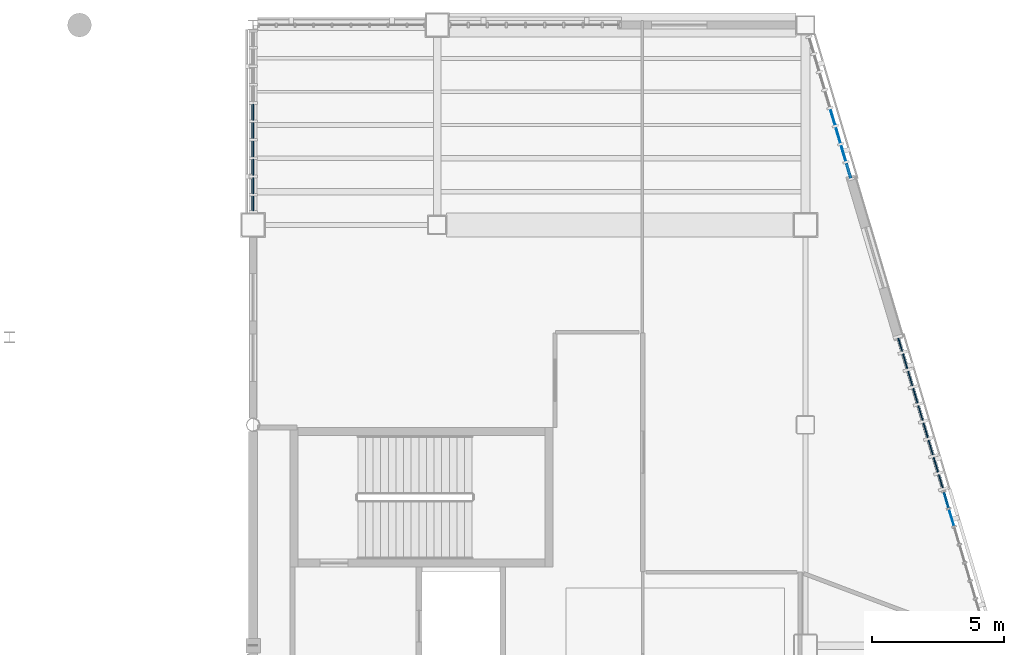
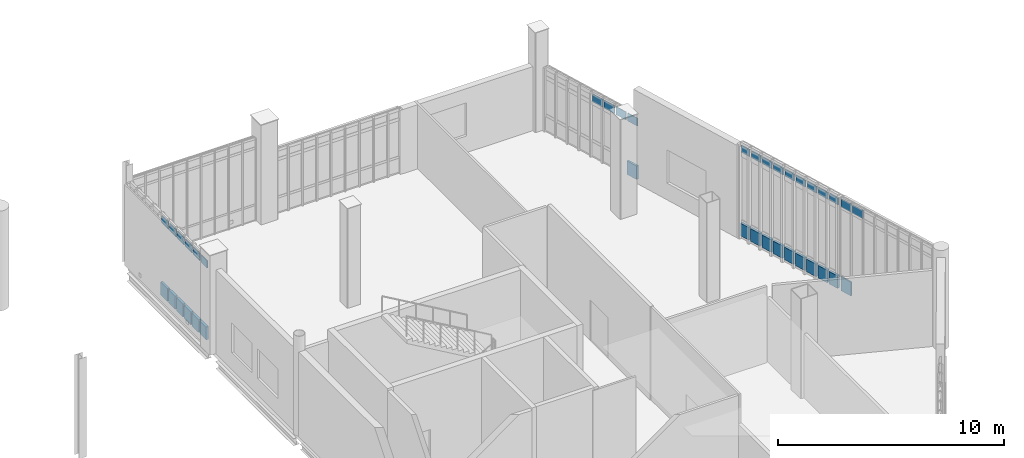
# One storey, part 101 of 127: 38 plates, 4 elements without a shape of their own.
"""IFC4 building model written with IfcOpenShell, lengths in metres."""

from ifc_helpers import new_model, si_unit, direction, frame, origin, origin_2d, place, context, subcontext, project, spatial, rectangle, extrude, material, layer, layer_set, type_object, element, aggregate, save


model = new_model("IFC4")

# Units and contexts
model_context = context("Model", 3, precision=1e-05, world=origin(), true_north=direction((0.0, 1.0)))
body_context = subcontext(model_context, "Body", "Model", "MODEL_VIEW")
ifc_project = project(units=[si_unit("LENGTHUNIT", "METRE"), si_unit("AREAUNIT", "SQUARE_METRE"), si_unit("VOLUMEUNIT", "CUBIC_METRE"), si_unit("PLANEANGLEUNIT", "RADIAN"), si_unit("MASSUNIT", "GRAM", prefix="KILO")], contexts=[model_context])

# Site, building, storey
site_placement = place(None, origin())
site = spatial("IfcSite", under=ifc_project, at=site_placement, CompositionType="ELEMENT")
building_placement = place(site_placement, origin())
building = spatial("IfcBuilding", under=site, at=building_placement, Name="Larkvane Passage Sports Hall", CompositionType="ELEMENT")
storey_placement = place(building_placement, frame((0.0, 0.0, 5.39990234375)))
storey = spatial("IfcBuildingStorey", under=building, at=storey_placement, Name="L01", CompositionType="ELEMENT", Elevation=5.39990234375)

# Curtain wall, plate
ifc_material_1 = material(Name="Thermally broken aluminium and low-E glazing", Category="aluminium")
curtain_wall_type_1 = type_object("IfcCurtainWallType", Name="CW-STICK-FOYER", PredefinedType="USERDEFINED", material=ifc_material_1)
curtain_wall_1_placement = place(storey_placement, origin())
curtain_wall_1 = element("IfcCurtainWall", 1, at=curtain_wall_1_placement, inside=storey, type_object=curtain_wall_type_1, Name="Curtain wall CW5-L01-054", ObjectType="STICK CURTAIN WALL", PredefinedType="USERDEFINED")
ifc_material_2 = material(Name="Fire-stopped shadow-box spandrel panel")
ifc_layer_1 = layer(ifc_material_2, 0.10498046875)
ifc_layer_set_1 = layer_set([ifc_layer_1], Name="Fire-stopped shadow-box spandrel panel")
plate_type_1 = type_object("IfcPlateType", Name="CWP-SPD-105", PredefinedType="CURTAIN_PANEL", material=ifc_layer_set_1)
plate_1_placement = place(storey_placement, frame((147.24267578125, 93.662109375, 0.080078125), z_axis=(0.0, 0.0, 1.0), x_axis=(0.28436317806, -0.958716633299, 0.0)))
plate_1 = element("IfcPlate", 2, at=plate_1_placement, type_object=plate_type_1, Name="CW-03 panel 8.1", PredefinedType="CURTAIN_PANEL", context=body_context, shape_type="SweptSolid", body=[
    extrude(rectangle(XDim=0.595458984375, YDim=0.10498046875, at=origin_2d()), origin(), (0.0, 0.0, 1.0), 0.72998046875),
])

# Curtain wall, plates
curtain_wall_type_2 = type_object("IfcCurtainWallType", Name="CW-CLINIC", PredefinedType="USERDEFINED", material=ifc_material_1)
curtain_wall_2_placement = place(storey_placement, origin())
curtain_wall_2 = element("IfcCurtainWall", 3, at=curtain_wall_2_placement, inside=storey, type_object=curtain_wall_type_2, Name="Curtain wall CW5-L01-051", ObjectType="UNITISED CURTAIN WALL", PredefinedType="USERDEFINED")
ifc_material_3 = material(Name="Deep insulated facade spandrel panel")
ifc_layer_2 = layer(ifc_material_3, 0.125)
ifc_layer_set_2 = layer_set([ifc_layer_2], Name="Deep insulated facade spandrel panel")
plate_type_2 = type_object("IfcPlateType", Name="CWP-SPD-125", PredefinedType="CURTAIN_PANEL", material=ifc_layer_set_2)
plate_2_placement = place(storey_placement, frame((124.60009765625, 92.420166015625, 0.10009765625), z_axis=(0.0, 0.0, 1.0), x_axis=(0.0, 1.0, 0.0)))
plate_2 = element("IfcPlate", 4, at=plate_2_placement, type_object=plate_type_2, Name="CW-05 panel 1.1", PredefinedType="CURTAIN_PANEL", context=body_context, shape_type="SweptSolid", body=[
    extrude(rectangle(XDim=0.54833984375, YDim=0.125, at=origin_2d()), origin(), (0.0, 0.0, 1.0), 0.699951171875),
])
plate_3_placement = place(storey_placement, frame((124.60009765625, 93.093505859375, 0.10009765625), z_axis=(0.0, 0.0, 1.0), x_axis=(0.0, 1.0, 0.0)))
plate_3 = element("IfcPlate", 5, at=plate_3_placement, type_object=plate_type_2, Name="CW-05 panel 2.1", PredefinedType="CURTAIN_PANEL", context=body_context, shape_type="SweptSolid", body=[
    extrude(rectangle(XDim=0.598388671875, YDim=0.125, at=origin_2d()), origin(), (0.0, 0.0, 1.0), 0.699951171875),
])
plate_4_placement = place(storey_placement, frame((124.60009765625, 93.791748046875, 0.10009765625), z_axis=(0.0, 0.0, 1.0), x_axis=(0.0, 1.0, 0.0)))
plate_4 = element("IfcPlate", 6, at=plate_4_placement, type_object=plate_type_2, Name="CW-05 panel 3.1", PredefinedType="CURTAIN_PANEL", context=body_context, shape_type="SweptSolid", body=[
    extrude(rectangle(XDim=0.598388671875, YDim=0.125, at=origin_2d()), origin(), (0.0, 0.0, 1.0), 0.699951171875),
])
plate_5_placement = place(storey_placement, frame((124.60009765625, 94.489990234375, 0.10009765625), z_axis=(0.0, 0.0, 1.0), x_axis=(0.0, 1.0, 0.0)))
plate_5 = element("IfcPlate", 7, at=plate_5_placement, type_object=plate_type_2, Name="CW-05 panel 4.1", PredefinedType="CURTAIN_PANEL", context=body_context, shape_type="SweptSolid", body=[
    extrude(rectangle(XDim=0.598388671875, YDim=0.125, at=origin_2d()), origin(), (0.0, 0.0, 1.0), 0.699951171875),
])
plate_6_placement = place(storey_placement, frame((124.60009765625, 95.188232421875, 0.10009765625), z_axis=(0.0, 0.0, 1.0), x_axis=(0.0, 1.0, 0.0)))
plate_6 = element("IfcPlate", 8, at=plate_6_placement, type_object=plate_type_2, Name="CW-05 panel 5.1", PredefinedType="CURTAIN_PANEL", context=body_context, shape_type="SweptSolid", body=[
    extrude(rectangle(XDim=0.598388671875, YDim=0.125, at=origin_2d()), origin(), (0.0, 0.0, 1.0), 0.699951171875),
])
plate_7_placement = place(storey_placement, frame((124.60009765625, 95.88671875, 0.10009765625), z_axis=(0.0, 0.0, 1.0), x_axis=(0.0, 1.0, 0.0)))
plate_7 = element("IfcPlate", 9, at=plate_7_placement, type_object=plate_type_2, Name="CW-05 panel 6.1", PredefinedType="CURTAIN_PANEL", context=body_context, shape_type="SweptSolid", body=[
    extrude(rectangle(XDim=0.598388671875, YDim=0.125, at=origin_2d()), origin(), (0.0, 0.0, 1.0), 0.699951171875),
])

curtain_wall_3_placement = place(storey_placement, origin())
curtain_wall_3 = element("IfcCurtainWall", 10, at=curtain_wall_3_placement, inside=storey, type_object=curtain_wall_type_2, Name="Curtain wall CW5-L01-055", ObjectType="UNITISED CURTAIN WALL", PredefinedType="USERDEFINED")
plate_8_placement = place(storey_placement, frame((149.205078125, 87.0458984375, 0.110107421875), z_axis=(0.0, 0.0, 1.0), x_axis=(0.284364947432, -0.958716108487, 0.0)))
plate_8 = element("IfcPlate", 11, at=plate_8_placement, type_object=plate_type_2, Name="CW-05 panel 1.1", PredefinedType="CURTAIN_PANEL", context=body_context, shape_type="SweptSolid", body=[
    extrude(rectangle(XDim=0.518798828125, YDim=0.125, at=origin_2d()), origin(), (0.0, 0.0, 1.0), 0.68505859375),
])
plate_9_placement = place(storey_placement, frame((149.3916015625, 86.416748046875, 0.110107421875), z_axis=(0.0, 0.0, 1.0), x_axis=(0.284364947432, -0.958716108487, 0.0)))
plate_9 = element("IfcPlate", 12, at=plate_9_placement, type_object=plate_type_2, Name="CW-05 panel 2.1", PredefinedType="CURTAIN_PANEL", context=body_context, shape_type="SweptSolid", body=[
    extrude(rectangle(XDim=0.57373046875, YDim=0.125, at=origin_2d()), origin(), (0.0, 0.0, 1.0), 0.68505859375),
])
plate_10_placement = place(storey_placement, frame((149.586181640625, 85.76123046875, 0.110107421875), z_axis=(0.0, 0.0, 1.0), x_axis=(0.284364947432, -0.958716108487, 0.0)))
plate_10 = element("IfcPlate", 13, at=plate_10_placement, type_object=plate_type_2, Name="CW-05 panel 3.1", PredefinedType="CURTAIN_PANEL", context=body_context, shape_type="SweptSolid", body=[
    extrude(rectangle(XDim=0.57373046875, YDim=0.125, at=origin_2d()), origin(), (0.0, 0.0, 1.0), 0.68505859375),
])
plate_11_placement = place(storey_placement, frame((149.780517578125, 85.10546875, 0.110107421875), z_axis=(0.0, 0.0, 1.0), x_axis=(0.284364947432, -0.958716108487, 0.0)))
plate_11 = element("IfcPlate", 14, at=plate_11_placement, type_object=plate_type_2, Name="CW-05 panel 4.1", PredefinedType="CURTAIN_PANEL", context=body_context, shape_type="SweptSolid", body=[
    extrude(rectangle(XDim=0.57373046875, YDim=0.125, at=origin_2d()), origin(), (0.0, 0.0, 1.0), 0.68505859375),
])
plate_12_placement = place(storey_placement, frame((149.97509765625, 84.449951171875, 0.110107421875), z_axis=(0.0, 0.0, 1.0), x_axis=(0.284364947432, -0.958716108487, 0.0)))
plate_12 = element("IfcPlate", 15, at=plate_12_placement, type_object=plate_type_2, Name="CW-05 panel 5.1", PredefinedType="CURTAIN_PANEL", context=body_context, shape_type="SweptSolid", body=[
    extrude(rectangle(XDim=0.57373046875, YDim=0.125, at=origin_2d()), origin(), (0.0, 0.0, 1.0), 0.68505859375),
])
plate_13_placement = place(storey_placement, frame((150.16943359375, 83.79443359375, 0.110107421875), z_axis=(0.0, 0.0, 1.0), x_axis=(0.284364947432, -0.958716108487, 0.0)))
plate_13 = element("IfcPlate", 16, at=plate_13_placement, type_object=plate_type_2, Name="CW-05 panel 6.1", PredefinedType="CURTAIN_PANEL", context=body_context, shape_type="SweptSolid", body=[
    extrude(rectangle(XDim=0.57373046875, YDim=0.125, at=origin_2d()), origin(), (0.0, 0.0, 1.0), 0.68505859375),
])
plate_14_placement = place(storey_placement, frame((150.36376953125, 83.138916015625, 0.110107421875), z_axis=(0.0, 0.0, 1.0), x_axis=(0.284364947432, -0.958716108487, 0.0)))
plate_14 = element("IfcPlate", 17, at=plate_14_placement, type_object=plate_type_2, Name="CW-05 panel 7.1", PredefinedType="CURTAIN_PANEL", context=body_context, shape_type="SweptSolid", body=[
    extrude(rectangle(XDim=0.57373046875, YDim=0.125, at=origin_2d()), origin(), (0.0, 0.0, 1.0), 0.68505859375),
])
plate_15_placement = place(storey_placement, frame((150.558349609375, 82.4833984375, 0.110107421875), z_axis=(0.0, 0.0, 1.0), x_axis=(0.284364947432, -0.958716108487, 0.0)))
plate_15 = element("IfcPlate", 18, at=plate_15_placement, type_object=plate_type_2, Name="CW-05 panel 8.1", PredefinedType="CURTAIN_PANEL", context=body_context, shape_type="SweptSolid", body=[
    extrude(rectangle(XDim=0.57373046875, YDim=0.125, at=origin_2d()), origin(), (0.0, 0.0, 1.0), 0.68505859375),
])
plate_16_placement = place(storey_placement, frame((150.744873046875, 81.854248046875, 0.110107421875), z_axis=(0.0, 0.0, 1.0), x_axis=(0.284364947432, -0.958716108487, 0.0)))
plate_16 = element("IfcPlate", 19, at=plate_16_placement, type_object=plate_type_2, Name="CW-05 panel 9.1", PredefinedType="CURTAIN_PANEL", context=body_context, shape_type="SweptSolid", body=[
    extrude(rectangle(XDim=0.518798828125, YDim=0.125, at=origin_2d()), origin(), (0.0, 0.0, 1.0), 0.68505859375),
])

curtain_wall_type_3 = type_object("IfcCurtainWallType", Name="CW-UNIT-COURT", PredefinedType="USERDEFINED", material=ifc_material_1)
curtain_wall_4_placement = place(storey_placement, origin())
curtain_wall_4 = element("IfcCurtainWall", 20, at=curtain_wall_4_placement, inside=storey, type_object=curtain_wall_type_3, Name="Curtain wall CW5-L01-056", ObjectType="UNITISED CURTAIN WALL", PredefinedType="USERDEFINED")
ifc_material_4 = material(Name="Insulated aluminium spandrel panel", Category="aluminium")
ifc_layer_3 = layer(ifc_material_4, 0.06494140625)
ifc_layer_set_3 = layer_set([ifc_layer_3], Name="Insulated aluminium spandrel panel")
plate_type_3 = type_object("IfcPlateType", Name="CWP-SPD-65", PredefinedType="CURTAIN_PANEL", material=ifc_layer_set_3)
plate_17_placement = place(storey_placement, frame((150.956298828125, 81.1416015625, 0.065185546875), z_axis=(0.0, 0.0, 1.0), x_axis=(0.28436317806, -0.958716633299, 0.0)))
plate_17 = element("IfcPlate", 21, at=plate_17_placement, type_object=plate_type_3, Name="CW-01 panel 1.1", PredefinedType="CURTAIN_PANEL", context=body_context, shape_type="SweptSolid", body=[
    extrude(rectangle(XDim=0.617919921875, YDim=0.06494140625, at=origin_2d()), origin(), (0.0, 0.0, 1.0), 0.75244140625),
])
ifc_material_5 = material(Name="Solar-control low-E double glazing", Category="glass")
ifc_layer_4 = layer(ifc_material_5, 0.028076171875)
ifc_layer_set_4 = layer_set([ifc_layer_4], Name="Solar-control low-E double glazing")
plate_type_4 = type_object("IfcPlateType", Name="CWP-VIS-28", PredefinedType="CURTAIN_PANEL", material=ifc_layer_set_4)
plate_18_placement = place(storey_placement, frame((150.956298828125, 81.1416015625, 4.58251953125), z_axis=(0.0, 0.0, 1.0), x_axis=(0.28436317806, -0.958716633299, 0.0)))
plate_18 = element("IfcPlate", 22, at=plate_18_placement, type_object=plate_type_4, Name="CW-01 panel 1.3", PredefinedType="CURTAIN_PANEL", context=body_context, shape_type="SweptSolid", body=[
    extrude(rectangle(XDim=0.617919921875, YDim=0.028076171875, at=origin_2d()), origin(), (0.0, 0.0, 1.0), 0.452392578125),
])
plate_19_placement = place(storey_placement, frame((151.155029296875, 80.47119140625, 4.58251953125), z_axis=(0.0, 0.0, 1.0), x_axis=(0.28436317806, -0.958716633299, 0.0)))
plate_19 = element("IfcPlate", 23, at=plate_19_placement, type_object=plate_type_4, Name="CW-01 panel 2.3", PredefinedType="CURTAIN_PANEL", context=body_context, shape_type="SweptSolid", body=[
    extrude(rectangle(XDim=0.650390625, YDim=0.028076171875, at=origin_2d()), origin(), (0.0, 0.0, 1.0), 0.452392578125),
])
aggregate(curtain_wall_4, [plate_17, plate_18, plate_19])

# Plate
ifc_material_6 = material(Name="High-impact court low-E glazing", Category="glass")
ifc_layer_5 = layer(ifc_material_6, 0.035888671875)
ifc_layer_set_5 = layer_set([ifc_layer_5], Name="High-impact court low-E glazing")
plate_type_5 = type_object("IfcPlateType", Name="CWP-VIS-36", PredefinedType="CURTAIN_PANEL", material=ifc_layer_set_5)
plate_20_placement = place(storey_placement, frame((146.637939453125, 95.700439453125, 2.9580078125), z_axis=(0.0, 0.0, 1.0), x_axis=(0.28436317806, -0.958716633299, 0.0)))
plate_20 = element("IfcPlate", 24, at=plate_20_placement, type_object=plate_type_5, Name="CW-03 panel 5.3", PredefinedType="CURTAIN_PANEL", context=body_context, shape_type="SweptSolid", body=[
    extrude(rectangle(XDim=0.63525390625, YDim=0.035888671875, at=origin_2d()), origin(), (0.0, 0.0, 1.0), 0.429931640625),
])

plate_21_placement = place(storey_placement, frame((146.841552734375, 95.0146484375, 2.9580078125), z_axis=(0.0, 0.0, 1.0), x_axis=(0.28436317806, -0.958716633299, 0.0)))
plate_21 = element("IfcPlate", 25, at=plate_21_placement, type_object=plate_type_5, Name="CW-03 panel 6.3", PredefinedType="CURTAIN_PANEL", context=body_context, shape_type="SweptSolid", body=[
    extrude(rectangle(XDim=0.63525390625, YDim=0.035888671875, at=origin_2d()), origin(), (0.0, 0.0, 1.0), 0.429931640625),
])

plate_22_placement = place(storey_placement, frame((147.044921875, 94.328857421875, 2.9580078125), z_axis=(0.0, 0.0, 1.0), x_axis=(0.28436317806, -0.958716633299, 0.0)))
plate_22 = element("IfcPlate", 26, at=plate_22_placement, type_object=plate_type_5, Name="CW-03 panel 7.3", PredefinedType="CURTAIN_PANEL", context=body_context, shape_type="SweptSolid", body=[
    extrude(rectangle(XDim=0.63525390625, YDim=0.035888671875, at=origin_2d()), origin(), (0.0, 0.0, 1.0), 0.429931640625),
])

plate_23_placement = place(storey_placement, frame((147.24267578125, 93.662109375, 2.9580078125), z_axis=(0.0, 0.0, 1.0), x_axis=(0.28436317806, -0.958716633299, 0.0)))
plate_23 = element("IfcPlate", 27, at=plate_23_placement, type_object=plate_type_5, Name="CW-03 panel 8.3", PredefinedType="CURTAIN_PANEL", context=body_context, shape_type="SweptSolid", body=[
    extrude(rectangle(XDim=0.595458984375, YDim=0.035888671875, at=origin_2d()), origin(), (0.0, 0.0, 1.0), 0.429931640625),
])

aggregate(curtain_wall_1, [plate_20, plate_21, plate_22, plate_1, plate_23])

ifc_material_7 = material(Name="Triple-laminated typhoon glazing", Category="glass")
ifc_layer_6 = layer(ifc_material_7, 0.0419921875)
ifc_layer_set_6 = layer_set([ifc_layer_6], Name="Triple-laminated typhoon glazing")
plate_type_6 = type_object("IfcPlateType", Name="CWP-VIS-42", PredefinedType="CURTAIN_PANEL", material=ifc_layer_set_6)
plate_24_placement = place(storey_placement, frame((124.60009765625, 92.420166015625, 3.980224609375), z_axis=(0.0, 0.0, 1.0), x_axis=(0.0, 1.0, 0.0)))
plate_24 = element("IfcPlate", 28, at=plate_24_placement, type_object=plate_type_6, Name="CW-05 panel 1.3", PredefinedType="CURTAIN_PANEL", context=body_context, shape_type="SweptSolid", body=[
    extrude(rectangle(XDim=0.54833984375, YDim=0.0419921875, at=origin_2d()), origin(), (0.0, 0.0, 1.0), 0.39990234375),
])

plate_25_placement = place(storey_placement, frame((124.60009765625, 93.093505859375, 3.980224609375), z_axis=(0.0, 0.0, 1.0), x_axis=(0.0, 1.0, 0.0)))
plate_25 = element("IfcPlate", 29, at=plate_25_placement, type_object=plate_type_6, Name="CW-05 panel 2.3", PredefinedType="CURTAIN_PANEL", context=body_context, shape_type="SweptSolid", body=[
    extrude(rectangle(XDim=0.598388671875, YDim=0.0419921875, at=origin_2d()), origin(), (0.0, 0.0, 1.0), 0.39990234375),
])

plate_26_placement = place(storey_placement, frame((124.60009765625, 93.791748046875, 3.980224609375), z_axis=(0.0, 0.0, 1.0), x_axis=(0.0, 1.0, 0.0)))
plate_26 = element("IfcPlate", 30, at=plate_26_placement, type_object=plate_type_6, Name="CW-05 panel 3.3", PredefinedType="CURTAIN_PANEL", context=body_context, shape_type="SweptSolid", body=[
    extrude(rectangle(XDim=0.598388671875, YDim=0.0419921875, at=origin_2d()), origin(), (0.0, 0.0, 1.0), 0.39990234375),
])

plate_27_placement = place(storey_placement, frame((124.60009765625, 94.489990234375, 3.980224609375), z_axis=(0.0, 0.0, 1.0), x_axis=(0.0, 1.0, 0.0)))
plate_27 = element("IfcPlate", 31, at=plate_27_placement, type_object=plate_type_6, Name="CW-05 panel 4.3", PredefinedType="CURTAIN_PANEL", context=body_context, shape_type="SweptSolid", body=[
    extrude(rectangle(XDim=0.598388671875, YDim=0.0419921875, at=origin_2d()), origin(), (0.0, 0.0, 1.0), 0.39990234375),
])

plate_28_placement = place(storey_placement, frame((124.60009765625, 95.188232421875, 3.980224609375), z_axis=(0.0, 0.0, 1.0), x_axis=(0.0, 1.0, 0.0)))
plate_28 = element("IfcPlate", 32, at=plate_28_placement, type_object=plate_type_6, Name="CW-05 panel 5.3", PredefinedType="CURTAIN_PANEL", context=body_context, shape_type="SweptSolid", body=[
    extrude(rectangle(XDim=0.598388671875, YDim=0.0419921875, at=origin_2d()), origin(), (0.0, 0.0, 1.0), 0.39990234375),
])

plate_29_placement = place(storey_placement, frame((124.60009765625, 95.88671875, 3.980224609375), z_axis=(0.0, 0.0, 1.0), x_axis=(0.0, 1.0, 0.0)))
plate_29 = element("IfcPlate", 33, at=plate_29_placement, type_object=plate_type_6, Name="CW-05 panel 6.3", PredefinedType="CURTAIN_PANEL", context=body_context, shape_type="SweptSolid", body=[
    extrude(rectangle(XDim=0.598388671875, YDim=0.0419921875, at=origin_2d()), origin(), (0.0, 0.0, 1.0), 0.39990234375),
])

aggregate(curtain_wall_2, [plate_2, plate_24, plate_3, plate_25, plate_4, plate_26, plate_5, plate_27, plate_6, plate_28, plate_7, plate_29])

plate_30_placement = place(storey_placement, frame((149.205078125, 87.0458984375, 4.60498046875), z_axis=(0.0, 0.0, 1.0), x_axis=(0.284364947432, -0.958716108487, 0.0)))
plate_30 = element("IfcPlate", 34, at=plate_30_placement, type_object=plate_type_6, Name="CW-05 panel 1.3", PredefinedType="CURTAIN_PANEL", context=body_context, shape_type="SweptSolid", body=[
    extrude(rectangle(XDim=0.518798828125, YDim=0.0419921875, at=origin_2d()), origin(), (0.0, 0.0, 1.0), 0.385009765625),
])

plate_31_placement = place(storey_placement, frame((149.3916015625, 86.416748046875, 4.60498046875), z_axis=(0.0, 0.0, 1.0), x_axis=(0.284364947432, -0.958716108487, 0.0)))
plate_31 = element("IfcPlate", 35, at=plate_31_placement, type_object=plate_type_6, Name="CW-05 panel 2.3", PredefinedType="CURTAIN_PANEL", context=body_context, shape_type="SweptSolid", body=[
    extrude(rectangle(XDim=0.57373046875, YDim=0.0419921875, at=origin_2d()), origin(), (0.0, 0.0, 1.0), 0.385009765625),
])

plate_32_placement = place(storey_placement, frame((149.586181640625, 85.76123046875, 4.60498046875), z_axis=(0.0, 0.0, 1.0), x_axis=(0.284364947432, -0.958716108487, 0.0)))
plate_32 = element("IfcPlate", 36, at=plate_32_placement, type_object=plate_type_6, Name="CW-05 panel 3.3", PredefinedType="CURTAIN_PANEL", context=body_context, shape_type="SweptSolid", body=[
    extrude(rectangle(XDim=0.57373046875, YDim=0.0419921875, at=origin_2d()), origin(), (0.0, 0.0, 1.0), 0.385009765625),
])

plate_33_placement = place(storey_placement, frame((149.780517578125, 85.10546875, 4.60498046875), z_axis=(0.0, 0.0, 1.0), x_axis=(0.284364947432, -0.958716108487, 0.0)))
plate_33 = element("IfcPlate", 37, at=plate_33_placement, type_object=plate_type_6, Name="CW-05 panel 4.3", PredefinedType="CURTAIN_PANEL", context=body_context, shape_type="SweptSolid", body=[
    extrude(rectangle(XDim=0.57373046875, YDim=0.0419921875, at=origin_2d()), origin(), (0.0, 0.0, 1.0), 0.385009765625),
])

plate_34_placement = place(storey_placement, frame((149.97509765625, 84.449951171875, 4.60498046875), z_axis=(0.0, 0.0, 1.0), x_axis=(0.284364947432, -0.958716108487, 0.0)))
plate_34 = element("IfcPlate", 38, at=plate_34_placement, type_object=plate_type_6, Name="CW-05 panel 5.3", PredefinedType="CURTAIN_PANEL", context=body_context, shape_type="SweptSolid", body=[
    extrude(rectangle(XDim=0.57373046875, YDim=0.0419921875, at=origin_2d()), origin(), (0.0, 0.0, 1.0), 0.385009765625),
])

plate_35_placement = place(storey_placement, frame((150.16943359375, 83.79443359375, 4.60498046875), z_axis=(0.0, 0.0, 1.0), x_axis=(0.284364947432, -0.958716108487, 0.0)))
plate_35 = element("IfcPlate", 39, at=plate_35_placement, type_object=plate_type_6, Name="CW-05 panel 6.3", PredefinedType="CURTAIN_PANEL", context=body_context, shape_type="SweptSolid", body=[
    extrude(rectangle(XDim=0.57373046875, YDim=0.0419921875, at=origin_2d()), origin(), (0.0, 0.0, 1.0), 0.385009765625),
])

plate_36_placement = place(storey_placement, frame((150.36376953125, 83.138916015625, 4.60498046875), z_axis=(0.0, 0.0, 1.0), x_axis=(0.284364947432, -0.958716108487, 0.0)))
plate_36 = element("IfcPlate", 40, at=plate_36_placement, type_object=plate_type_6, Name="CW-05 panel 7.3", PredefinedType="CURTAIN_PANEL", context=body_context, shape_type="SweptSolid", body=[
    extrude(rectangle(XDim=0.57373046875, YDim=0.0419921875, at=origin_2d()), origin(), (0.0, 0.0, 1.0), 0.385009765625),
])

plate_37_placement = place(storey_placement, frame((150.558349609375, 82.4833984375, 4.60498046875), z_axis=(0.0, 0.0, 1.0), x_axis=(0.284364947432, -0.958716108487, 0.0)))
plate_37 = element("IfcPlate", 41, at=plate_37_placement, type_object=plate_type_6, Name="CW-05 panel 8.3", PredefinedType="CURTAIN_PANEL", context=body_context, shape_type="SweptSolid", body=[
    extrude(rectangle(XDim=0.57373046875, YDim=0.0419921875, at=origin_2d()), origin(), (0.0, 0.0, 1.0), 0.385009765625),
])

plate_38_placement = place(storey_placement, frame((150.744873046875, 81.854248046875, 4.60498046875), z_axis=(0.0, 0.0, 1.0), x_axis=(0.284364947432, -0.958716108487, 0.0)))
plate_38 = element("IfcPlate", 42, at=plate_38_placement, type_object=plate_type_6, Name="CW-05 panel 9.3", PredefinedType="CURTAIN_PANEL", context=body_context, shape_type="SweptSolid", body=[
    extrude(rectangle(XDim=0.518798828125, YDim=0.0419921875, at=origin_2d()), origin(), (0.0, 0.0, 1.0), 0.385009765625),
])

aggregate(curtain_wall_3, [plate_8, plate_30, plate_9, plate_31, plate_10, plate_32, plate_11, plate_33, plate_12, plate_34, plate_13, plate_35, plate_14, plate_36, plate_15, plate_37, plate_16, plate_38])

save(model, "model.ifc")
